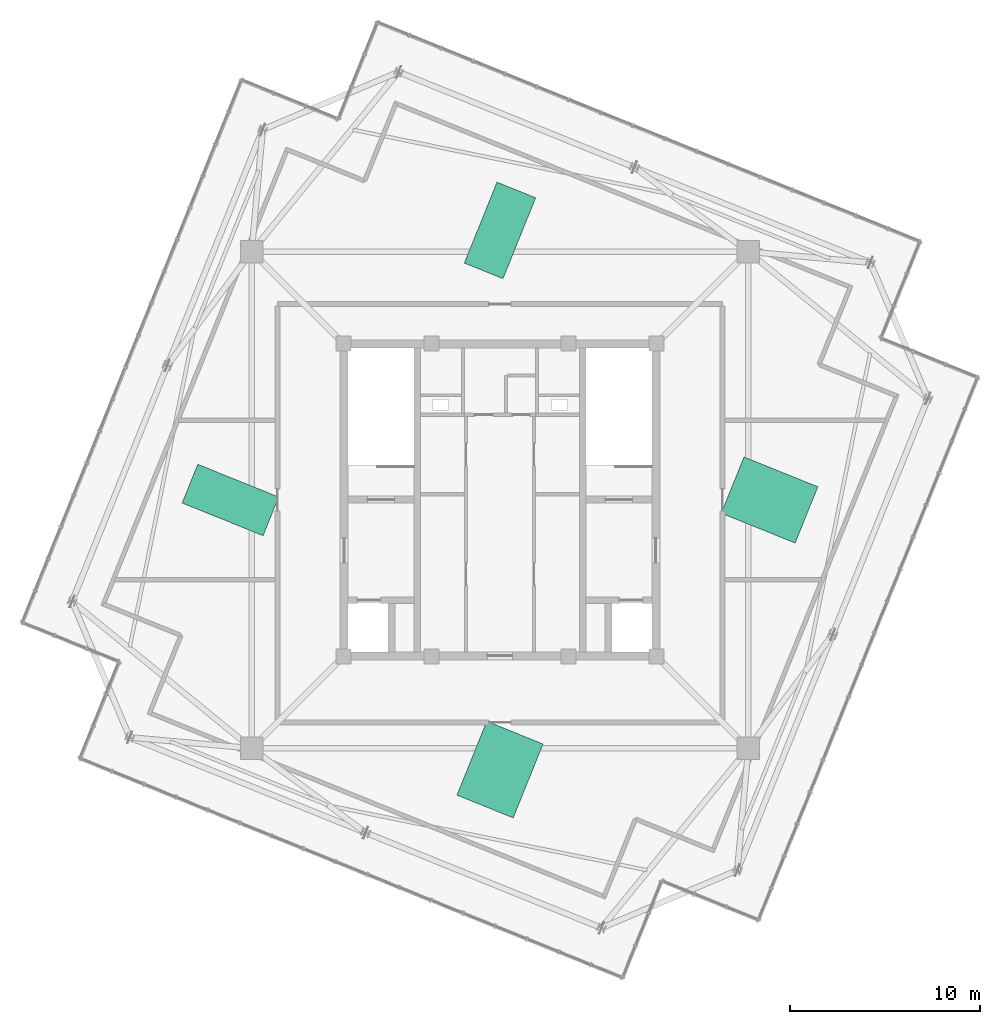
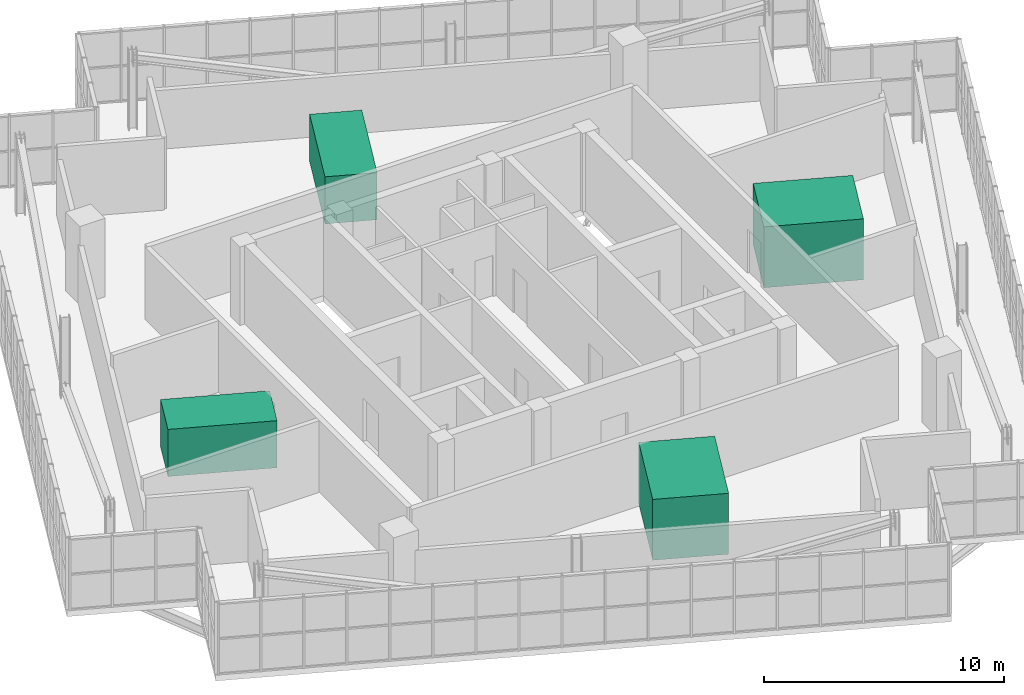
# One storey, part 26 of 26: 4 unitary equipment elements.
"""IFC4 building model written with IfcOpenShell, lengths in metres."""

from ifc_helpers import new_model, si_unit, direction, frame, origin, origin_2d, place, context, subcontext, project, spatial, rectangle, extrude, source, transform, mapped, material, type_object, element, save


model = new_model("IFC4")

# Units and contexts
model_context = context("Model", 3, precision=1e-05, world=origin(), true_north=direction((0.0, 1.0)))
body_context = subcontext(model_context, "Body", "Model", "MODEL_VIEW")
ifc_project = project(units=[si_unit("LENGTHUNIT", "METRE"), si_unit("AREAUNIT", "SQUARE_METRE"), si_unit("VOLUMEUNIT", "CUBIC_METRE"), si_unit("PLANEANGLEUNIT", "RADIAN"), si_unit("MASSUNIT", "GRAM", prefix="KILO"), si_unit("THERMODYNAMICTEMPERATUREUNIT", "KELVIN")], contexts=[model_context])

# Site, building, storey
site_placement = place(None, origin())
site = spatial("IfcSite", under=ifc_project, at=site_placement, CompositionType="ELEMENT")
building_placement = place(site_placement, origin())
building = spatial("IfcBuilding", under=site, at=building_placement, Name="Kosmvard Interchange Tower", CompositionType="ELEMENT")
storey_placement = place(building_placement, frame((0.0, 0.0, 341.60009765625)))
storey = spatial("IfcBuildingStorey", under=building, at=storey_placement, Name="L84", CompositionType="ELEMENT", Elevation=341.60009765625)

# Unitary equipment
ifc_material = material(Name="Steel S355", Category="steel")
unitary_equipment_type_1 = type_object("IfcUnitaryEquipmentType", Name="Modular Induced-Draft Cooling Tower Unit", PredefinedType="USERDEFINED", material=ifc_material)
shared_shape_1 = source(origin(), body_context, "Body", "SweptSolid", [
    extrude(rectangle(XDim=4.199951171875, YDim=3.199951171875, at=origin_2d()), origin(), (0.0, 0.0, 1.0), 3.10009765625),
])
unitary_equipment_1_placement = place(storey_placement, frame((0.0, -14.199951171875, -0.000244140625), z_axis=(0.0, 0.0, 1.0), x_axis=(0.374606593416, 0.927183854567, 0.0)))
element("IfcUnitaryEquipment", 1, at=unitary_equipment_1_placement, inside=storey, type_object=unitary_equipment_type_1, Name="L84 Crown Mechanical Plant Unit CT1", ObjectType="COOLING_TOWER", PredefinedType="USERDEFINED", context=body_context, shape_type="MappedRepresentation", body=[
    mapped(shared_shape_1, transform((0.0, 0.0, 0.0), scale=1.0)),
])
shared_shape_2 = source(origin(), body_context, "Body", "SweptSolid", [
    extrude(rectangle(XDim=3.199951171875, YDim=4.199951171875, at=origin_2d()), origin(), (0.0, 0.0, 1.0), 3.10009765625),
])
unitary_equipment_2_placement = place(storey_placement, frame((14.199951171875, 0.0, -0.000244140625), z_axis=(0.0, 0.0, 1.0), x_axis=(0.374606593416, 0.927183854567, 0.0)))
element("IfcUnitaryEquipment", 2, at=unitary_equipment_2_placement, inside=storey, type_object=unitary_equipment_type_1, Name="L84 Crown Mechanical Plant Unit CT2", ObjectType="COOLING_TOWER", PredefinedType="USERDEFINED", context=body_context, shape_type="MappedRepresentation", body=[
    mapped(shared_shape_2, transform((0.0, 0.0, 0.0), scale=1.0)),
])
unitary_equipment_type_2 = type_object("IfcUnitaryEquipmentType", Name="Centrifugal Water-Cooled Chiller & Heat Recovery Unit", PredefinedType="USERDEFINED", material=ifc_material)
shared_shape_3 = source(origin(), body_context, "Body", "SweptSolid", [
    extrude(rectangle(XDim=4.60009765625, YDim=2.199951171875, at=origin_2d()), origin(), (0.0, 0.0, 1.0), 2.39990234375),
])
unitary_equipment_3_placement = place(storey_placement, frame((0.0, 14.199951171875, 0.0), z_axis=(0.0, 0.0, 1.0), x_axis=(0.374606593416, 0.927183854567, 0.0)))
element("IfcUnitaryEquipment", 3, at=unitary_equipment_3_placement, inside=storey, type_object=unitary_equipment_type_2, Name="L84 Crown Mechanical Plant Unit CH1", ObjectType="CHILLER", PredefinedType="USERDEFINED", context=body_context, shape_type="MappedRepresentation", body=[
    mapped(shared_shape_3, transform((0.0, 0.0, 0.0), scale=1.0)),
])
shared_shape_4 = source(origin(), body_context, "Body", "SweptSolid", [
    extrude(rectangle(XDim=2.199951171875, YDim=4.60009765625, at=origin_2d()), origin(), (0.0, 0.0, 1.0), 2.39990234375),
])
unitary_equipment_4_placement = place(storey_placement, frame((-14.199951171875, 0.0, 0.0), z_axis=(0.0, 0.0, 1.0), x_axis=(0.374606593416, 0.927183854567, 0.0)))
element("IfcUnitaryEquipment", 4, at=unitary_equipment_4_placement, inside=storey, type_object=unitary_equipment_type_2, Name="L84 Crown Mechanical Plant Unit CH2", ObjectType="CHILLER", PredefinedType="USERDEFINED", context=body_context, shape_type="MappedRepresentation", body=[
    mapped(shared_shape_4, transform((0.0, 0.0, 0.0), scale=1.0)),
])

save(model, "model.ifc")
